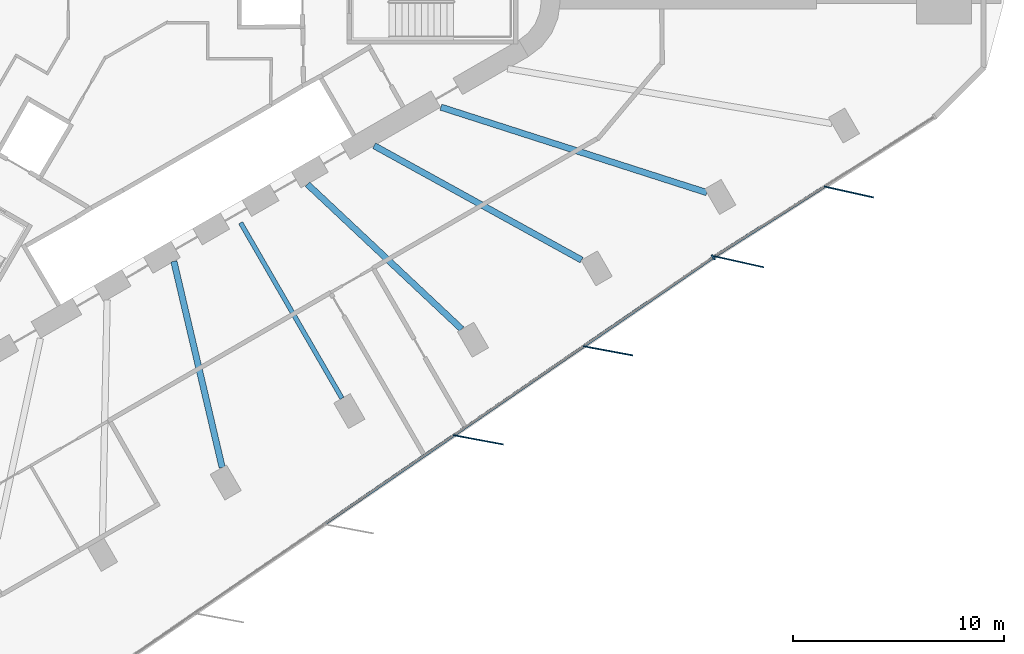
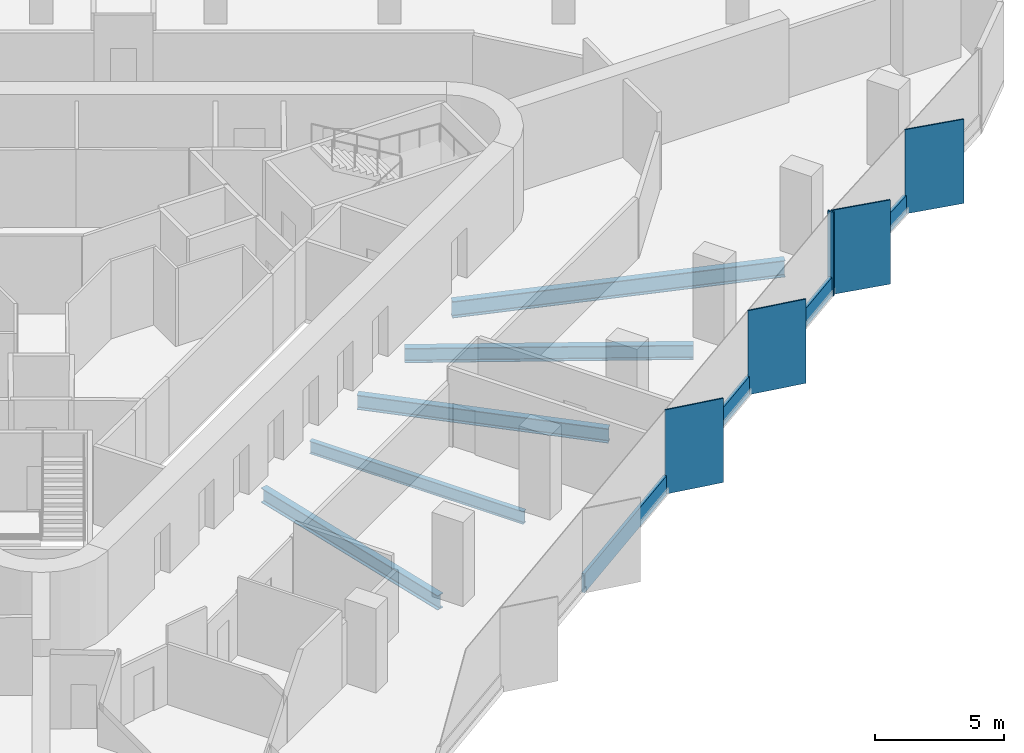
# One storey, part 3 of 13: 9 members, 5 beams, 2 elements without a shape of their own.
"""IFC4 building model written with IfcOpenShell, lengths in metres."""

from ifc_helpers import new_model, si_unit, direction, frame, origin, origin_2d, place, context, subcontext, project, spatial, rectangle, i_section, extrude, material, material_profile, profile_set, type_object, element, aggregate, save


model = new_model("IFC4")

# Units and contexts
model_context = context("Model", 3, precision=1e-05, world=origin(), true_north=direction((0.0, 1.0)))
body_context = subcontext(model_context, "Body", "Model", "MODEL_VIEW")
ifc_project = project(units=[si_unit("LENGTHUNIT", "METRE"), si_unit("AREAUNIT", "SQUARE_METRE"), si_unit("VOLUMEUNIT", "CUBIC_METRE"), si_unit("PLANEANGLEUNIT", "RADIAN"), si_unit("MASSUNIT", "GRAM", prefix="KILO")], contexts=[model_context])

# Site, building, storey
site_placement = place(None, origin())
site = spatial("IfcSite", under=ifc_project, at=site_placement, CompositionType="ELEMENT")
building_placement = place(site_placement, origin())
building = spatial("IfcBuilding", under=site, at=building_placement, Name="Tanit Gate Tower", CompositionType="ELEMENT")
storey_placement = place(building_placement, frame((0.0, 0.0, 185.199951171875)))
storey = spatial("IfcBuildingStorey", under=building, at=storey_placement, Name="L40", CompositionType="ELEMENT", Elevation=185.199951171875)

# Curtain wall, members
ifc_material_1 = material(Name="Aluminium bronze anodised and glass", Category="aluminium")
curtain_wall_type = type_object("IfcCurtainWallType", Name="Curtain wall typical mid", PredefinedType="NOTDEFINED", material=ifc_material_1)
curtain_wall_1_placement = place(storey_placement, origin())
curtain_wall_1 = element("IfcCurtainWall", 1, at=curtain_wall_1_placement, inside=storey, type_object=curtain_wall_type, Name="Curtain wall L40 SE2", PredefinedType="NOTDEFINED")
ifc_material_2 = material(Name="Aluminium bronze anodised", Category="aluminium")
ifc_material_profile_1 = material_profile(ifc_material_2, rectangle(XDim=2.39990234375, YDim=0.055908203125, at=origin_2d()), Name="56x2400 bronze fin mullion")
ifc_profile_set_1 = profile_set([ifc_material_profile_1], Name="Aluminium bronze anodised")
member_type_1 = type_object("IfcMemberType", Name="FIN MULLION 56x2400 bronze", PredefinedType="MULLION", material=ifc_profile_set_1)
member_1_placement = place(storey_placement, frame((17.32275390625, -20.77099609375, -0.300048828125), z_axis=(0.0, 0.0, 1.0), x_axis=(-0.983116074967, 0.182983013261, 0.0)))
member_1 = element("IfcMember", 2, at=member_1_placement, type_object=member_type_1, Name="Fin mullion L40 SE2.4", PredefinedType="MULLION", context=body_context, shape_type="SweptSolid", body=[
    extrude(rectangle(XDim=2.39990234375, YDim=0.055908203125, at=origin_2d()), origin(), (0.0, 0.0, 1.0), 4.0),
])
member_2_placement = place(storey_placement, frame((23.473388671875, -16.55078125, -0.300048828125), z_axis=(0.0, 0.0, 1.0), x_axis=(-0.983116074967, 0.182983013261, 0.0)))
member_2 = element("IfcMember", 3, at=member_2_placement, type_object=member_type_1, Name="Fin mullion L40 SE2.5", PredefinedType="MULLION", context=body_context, shape_type="SweptSolid", body=[
    extrude(rectangle(XDim=2.39990234375, YDim=0.055908203125, at=origin_2d()), origin(), (0.0, 0.0, 1.0), 4.0),
])

curtain_wall_2_placement = place(storey_placement, origin())
curtain_wall_2 = element("IfcCurtainWall", 4, at=curtain_wall_2_placement, inside=storey, type_object=curtain_wall_type, Name="Curtain wall L40 SE3", PredefinedType="NOTDEFINED")
member_3_placement = place(storey_placement, frame((29.6826171875, -12.3271484375, -0.300048828125), z_axis=(0.0, 0.0, 1.0), x_axis=(-0.976010778873, 0.217722207235, 0.0)))
member_3 = element("IfcMember", 5, at=member_3_placement, type_object=member_type_1, Name="Fin mullion L40 SE3.1", PredefinedType="MULLION", context=body_context, shape_type="SweptSolid", body=[
    extrude(rectangle(XDim=2.39990234375, YDim=0.055908203125, at=origin_2d()), origin(), (0.0, 0.0, 1.0), 4.0),
])
member_4_placement = place(storey_placement, frame((34.893798828125, -9.016845703125, -0.300048828125), z_axis=(0.0, 0.0, 1.0), x_axis=(-0.976010778873, 0.217722207235, 0.0)))
member_4 = element("IfcMember", 6, at=member_4_placement, type_object=member_type_1, Name="Fin mullion L40 SE3.2", PredefinedType="MULLION", context=body_context, shape_type="SweptSolid", body=[
    extrude(rectangle(XDim=2.39990234375, YDim=0.055908203125, at=origin_2d()), origin(), (0.0, 0.0, 1.0), 4.0),
])

# Member
ifc_material_3 = material(Name="Aluminium bronze anodised", Category="aluminium")
ifc_material_profile_2 = material_profile(ifc_material_3, rectangle(XDim=0.260009765625, YDim=0.080078125, at=origin_2d()), Name="80x260 bronze mullion")
ifc_profile_set_2 = profile_set([ifc_material_profile_2], Name="Aluminium bronze anodised")
member_type_2 = type_object("IfcMemberType", Name="Mullion 80x260 typical mid", PredefinedType="MULLION", material=ifc_profile_set_2)
member_5_placement = place(storey_placement, frame((28.46533203125, -12.11474609375, -0.300048828125), z_axis=(0.0, 0.0, 1.0), x_axis=(-0.565779513784, 0.824556572821, 0.0)))
member_5 = element("IfcMember", 7, at=member_5_placement, type_object=member_type_2, Name="Mullion L40 SE2.6", PredefinedType="MULLION", context=body_context, shape_type="SweptSolid", body=[
    extrude(rectangle(XDim=0.260009765625, YDim=0.080078125, at=origin_2d()), origin(), (0.0, 0.0, 1.0), 4.0),
])

# Beams
ifc_material_4 = material(Name="Steel S355", Category="steel")
ifc_material_profile_3 = material_profile(ifc_material_4, i_section(OverallWidth=0.300048828125, OverallDepth=0.68994140625, WebThickness=0.014404296875, FlangeThickness=0.027099609375, FilletRadius=0.027099609375, at=origin_2d()), Name="HEA 700")
ifc_profile_set_3 = profile_set([ifc_material_profile_3], Name="Steel S355")
beam_type_1 = type_object("IfcBeamType", Name="RADIAL GIRDER HEA 700 S355", PredefinedType="BEAM", material=ifc_profile_set_3)
for number, where, z_axis, x_axis, name in (
    (8, (5.176513671875, -22.085205078125, -0.64501953125), (-0.228201765942, 0.973613862895, 0.0), (-0.973613862895, -0.228201765942, 0.0), "RADIAL GIRDER"),
    (9, (16.5380859375, -15.525634765625, -0.64501953125), (-0.72907377567, 0.684435117181, 0.0), (-0.684435117181, -0.72907377567, 0.0), "RADIAL GIRDER"),
):
    element("IfcBeam", number, at=place(storey_placement, frame(where, z_axis=z_axis, x_axis=x_axis)), inside=storey, type_object=beam_type_1, Name=name, PredefinedType="BEAM", context=body_context, shape_type="SweptSolid", body=[
        extrude(i_section(OverallWidth=0.300048828125, OverallDepth=0.68994140625, WebThickness=0.014404296875, FlangeThickness=0.027099609375, FilletRadius=0.027099609375, at=origin_2d()), origin(), (0.0, 0.0, 1.0), 10.04150390625),
    ])
beam_1_placement = place(storey_placement, frame((22.21875, -12.245849609375, -0.64501953125), z_axis=(-0.875791934308, 0.482688810519, 0.0), x_axis=(-0.482688810519, -0.875791934308, 0.0)))
element("IfcBeam", 10, at=beam_1_placement, inside=storey, type_object=beam_type_1, Name="RADIAL GIRDER", PredefinedType="BEAM", context=body_context, shape_type="SweptSolid", body=[
    extrude(i_section(OverallWidth=0.300048828125, OverallDepth=0.68994140625, WebThickness=0.014404296875, FlangeThickness=0.027099609375, FilletRadius=0.027099609375, at=origin_2d()), origin(), (0.0, 0.0, 1.0), 11.230712890625),
])
ifc_material_5 = material(Name="Steel S355", Category="steel")
ifc_material_profile_4 = material_profile(ifc_material_5, i_section(OverallWidth=0.300048828125, OverallDepth=0.7900390625, WebThickness=0.014892578125, FlangeThickness=0.028076171875, FilletRadius=0.030029296875, at=origin_2d()), Name="HEA 800")
ifc_profile_set_4 = profile_set([ifc_material_profile_4], Name="Steel S355")
beam_type_2 = type_object("IfcBeamType", Name="RADIAL GIRDER HEA 800 S355", PredefinedType="BEAM", material=ifc_profile_set_4)
beam_2_placement = place(storey_placement, frame((28.160888671875, -9.05029296875, -0.695068359375), z_axis=(-0.952041216239, 0.305969806651, 0.0), x_axis=(-0.305969806651, -0.952041216239, 0.0)))
element("IfcBeam", 11, at=beam_2_placement, inside=storey, type_object=beam_type_2, Name="RADIAL GIRDER", PredefinedType="BEAM", context=body_context, shape_type="SweptSolid", body=[
    extrude(i_section(OverallWidth=0.300048828125, OverallDepth=0.7900390625, WebThickness=0.014892578125, FlangeThickness=0.028076171875, FilletRadius=0.030029296875, at=origin_2d()), origin(), (0.0, 0.0, 1.0), 13.2470703125),
])
ifc_material_6 = material(Name="Steel S355", Category="steel")
ifc_material_profile_5 = material_profile(ifc_material_6, i_section(OverallWidth=0.219970703125, OverallDepth=0.60009765625, WebThickness=0.011962890625, FlangeThickness=0.01904296875, FilletRadius=0.02392578125, at=origin_2d()), Name="IPE 600")
ifc_profile_set_5 = profile_set([ifc_material_profile_5], Name="Steel S355")
beam_type_3 = type_object("IfcBeamType", Name="RADIAL GIRDER IPE 600 S355", PredefinedType="BEAM", material=ifc_profile_set_5)
beam_3_placement = place(storey_placement, frame((10.857421875, -18.805419921875, -0.599853515625), z_axis=(-0.500009724617, 0.866019789201, 0.0), x_axis=(-0.866019789201, -0.500009724617, 0.0)))
element("IfcBeam", 12, at=beam_3_placement, inside=storey, type_object=beam_type_3, Name="RADIAL GIRDER", PredefinedType="BEAM", context=body_context, shape_type="SweptSolid", body=[
    extrude(i_section(OverallWidth=0.219970703125, OverallDepth=0.60009765625, WebThickness=0.011962890625, FlangeThickness=0.01904296875, FilletRadius=0.02392578125, at=origin_2d()), origin(), (0.0, 0.0, 1.0), 9.612548828125),
])

# Member
ifc_material_7 = material(Name="Aluminium bronze anodised", Category="aluminium")
ifc_material_profile_6 = material_profile(ifc_material_7, rectangle(XDim=0.139892578125, YDim=0.89990234375, at=origin_2d()), Name="140x900 bronze transom")
ifc_profile_set_6 = profile_set([ifc_material_profile_6], Name="Aluminium bronze anodised")
member_type_3 = type_object("IfcMemberType", Name="Transom 140x900 typical mid", PredefinedType="USERDEFINED", material=ifc_profile_set_6)
member_6_placement = place(storey_placement, frame((10.046142578125, -24.753173828125, 0.150146484375), z_axis=(0.824559958411, 0.565774579657, 0.0), x_axis=(-0.565774579657, 0.824559958411, 0.0)))
member_6 = element("IfcMember", 13, at=member_6_placement, type_object=member_type_3, Name="Transom L40 SE2.3", ObjectType="TRANSOM", PredefinedType="USERDEFINED", context=body_context, shape_type="SweptSolid", body=[
    extrude(rectangle(XDim=0.139892578125, YDim=0.89990234375, at=origin_2d()), origin(), (0.0, 0.0, 1.0), 7.37939453125),
])

member_7_placement = place(storey_placement, frame((16.197021484375, -20.53271484375, 0.150146484375), z_axis=(0.824559958411, 0.565774579657, 0.0), x_axis=(-0.565774579657, 0.824559958411, 0.0)))
member_7 = element("IfcMember", 14, at=member_7_placement, type_object=member_type_3, Name="Transom L40 SE2.4", ObjectType="TRANSOM", PredefinedType="USERDEFINED", context=body_context, shape_type="SweptSolid", body=[
    extrude(rectangle(XDim=0.139892578125, YDim=0.89990234375, at=origin_2d()), origin(), (0.0, 0.0, 1.0), 7.37939453125),
])

member_8_placement = place(storey_placement, frame((22.34765625, -16.312255859375, 0.150146484375), z_axis=(0.824559958411, 0.565774579657, 0.0), x_axis=(-0.565774579657, 0.824559958411, 0.0)))
member_8 = element("IfcMember", 15, at=member_8_placement, type_object=member_type_3, Name="Transom L40 SE2.5", ObjectType="TRANSOM", PredefinedType="USERDEFINED", context=body_context, shape_type="SweptSolid", body=[
    extrude(rectangle(XDim=0.139892578125, YDim=0.89990234375, at=origin_2d()), origin(), (0.0, 0.0, 1.0), 7.37939453125),
])

aggregate(curtain_wall_1, [member_1, member_2, member_5, member_6, member_7, member_8])

member_9_placement = place(storey_placement, frame((28.565673828125, -12.049072265625, 0.150146484375), z_axis=(0.844106613842, 0.536175367272, 0.0), x_axis=(-0.536175367272, 0.844106613842, 0.0)))
member_9 = element("IfcMember", 16, at=member_9_placement, type_object=member_type_3, Name="Transom L40 SE3.1", ObjectType="TRANSOM", PredefinedType="USERDEFINED", context=body_context, shape_type="SweptSolid", body=[
    extrude(rectangle(XDim=0.139892578125, YDim=0.89990234375, at=origin_2d()), origin(), (0.0, 0.0, 1.0), 6.09375),
])

aggregate(curtain_wall_2, [member_3, member_4, member_9])

save(model, "model.ifc")
